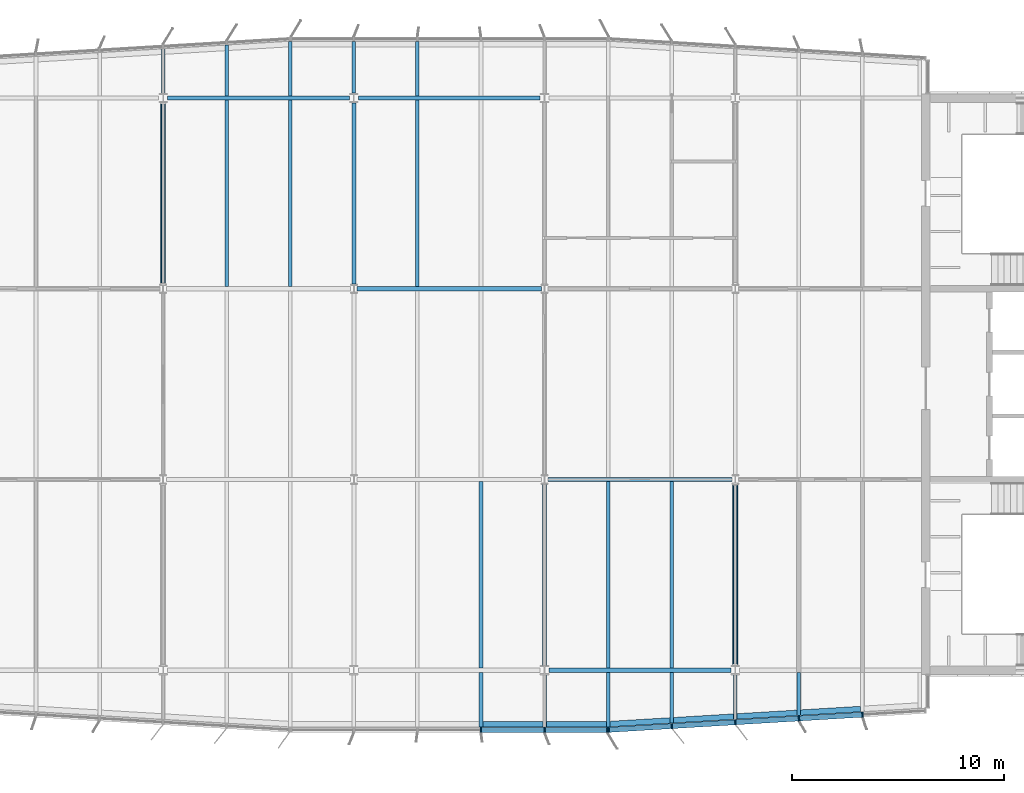
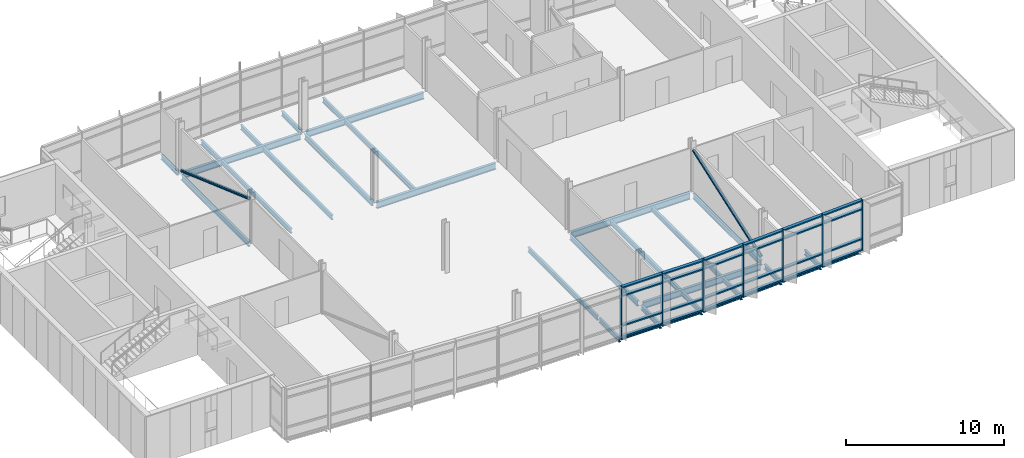
# One storey, part 5 of 18: 34 members, 32 beams, 2 elements without a shape of their own.
"""IFC4 building model written with IfcOpenShell, lengths in metres."""

from ifc_helpers import new_model, si_unit, direction, frame, origin, origin_2d, place, context, subcontext, project, spatial, rectangle, hollow_circle, i_section, extrude, material, material_profile, profile_set, type_object, element, aggregate, save


model = new_model("IFC4")

# Units and contexts
model_context = context("Model", 3, precision=1e-05, world=origin(), true_north=direction((0.0, 1.0)))
body_context = subcontext(model_context, "Body", "Model", "MODEL_VIEW")
ifc_project = project(units=[si_unit("LENGTHUNIT", "METRE"), si_unit("AREAUNIT", "SQUARE_METRE"), si_unit("VOLUMEUNIT", "CUBIC_METRE"), si_unit("PLANEANGLEUNIT", "RADIAN"), si_unit("MASSUNIT", "GRAM", prefix="KILO")], contexts=[model_context])

# Site, building, storey
site_placement = place(None, origin())
site = spatial("IfcSite", under=ifc_project, at=site_placement, CompositionType="ELEMENT")
building_placement = place(site_placement, origin())
building = spatial("IfcBuilding", under=site, at=building_placement, Name="Azimuth Sports and Learning Centre", CompositionType="ELEMENT")
storey_placement = place(building_placement, frame((0.0, 0.0, 59.699951171875)))
storey = spatial("IfcBuildingStorey", under=building, at=storey_placement, Name="L13", CompositionType="ELEMENT", Elevation=59.699951171875)

# Beams
ifc_material_1 = material(Name="Steel S355", Category="steel")
ifc_material_profile_1 = material_profile(ifc_material_1, i_section(OverallWidth=0.179931640625, OverallDepth=0.39990234375, WebThickness=0.008544921875, FlangeThickness=0.013427734375, FilletRadius=0.02099609375, at=origin_2d()), Name="IPE 400")
ifc_profile_set_1 = profile_set([ifc_material_profile_1], Name="Steel S355")
beam_type_1 = type_object("IfcBeamType", Name="Beam IPE 400", PredefinedType="BEAM", material=ifc_profile_set_1)
for number, where, z_axis, x_axis, name in (
    (1, (72.0, 108.216064453125, -0.329833984375), (0.0, 1.0, 0.0), (-1.0, 0.0, 0.0), "Tower tie"),
    (2, (81.0, 108.216064453125, -0.329833984375), (0.0, 1.0, 0.0), (-1.0, 0.0, 0.0), "Tower tie"),
    (3, (90.0, 90.2275390625, -0.329833984375), (0.0, 1.0, 0.0), (-1.0, 0.0, 0.0), "Tower tie"),
    (4, (99.0, 90.2275390625, -0.329833984375), (0.0, 1.0, 0.0), (-1.0, 0.0, 0.0), "Tower tie"),
):
    element("IfcBeam", number, at=place(storey_placement, frame(where, z_axis=z_axis, x_axis=x_axis)), inside=storey, type_object=beam_type_1, Name=name, PredefinedType="BEAM", context=body_context, shape_type="SweptSolid", body=[
        extrude(i_section(OverallWidth=0.179931640625, OverallDepth=0.39990234375, WebThickness=0.008544921875, FlangeThickness=0.013427734375, FilletRadius=0.02099609375, at=origin_2d()), origin(), (0.0, 0.0, 1.0), 8.556396484375),
    ])
ifc_material_2 = material(Name="Steel S355", Category="steel")
ifc_material_profile_2 = material_profile(ifc_material_2, i_section(OverallWidth=0.199951171875, OverallDepth=0.5, WebThickness=0.01025390625, FlangeThickness=0.01611328125, FilletRadius=0.02099609375, at=origin_2d()), Name="IPE 500")
ifc_profile_set_2 = profile_set([ifc_material_profile_2], Name="Steel S355")
beam_type_2 = type_object("IfcBeamType", Name="Beam IPE 500", PredefinedType="BEAM", material=ifc_profile_set_2)
beam_1_placement = place(storey_placement, frame((90.208984375, 90.0, -0.3798828125), z_axis=(1.0, 0.0, 0.0), x_axis=(0.0, 1.0, 0.0)))
element("IfcBeam", 5, at=beam_1_placement, inside=storey, type_object=beam_type_2, Name="Tower girder L13", PredefinedType="BEAM", context=body_context, shape_type="SweptSolid", body=[
    extrude(i_section(OverallWidth=0.199951171875, OverallDepth=0.5, WebThickness=0.01025390625, FlangeThickness=0.01611328125, FilletRadius=0.02099609375, at=origin_2d()), origin(), (0.0, 0.0, 1.0), 8.58203125),
])
for number, where, z_axis, x_axis, name in (
    (6, (90.153564453125, 99.0, -0.3798828125), (1.0, 0.0, 0.0), (0.0, 1.0, 0.0), "Tower girder L13"),
    (7, (81.153564453125, 108.0, -0.3798828125), (1.0, 0.0, 0.0), (0.0, 1.0, 0.0), "Tower girder L13"),
):
    element("IfcBeam", number, at=place(storey_placement, frame(where, z_axis=z_axis, x_axis=x_axis)), inside=storey, type_object=beam_type_2, Name=name, PredefinedType="BEAM", context=body_context, shape_type="SweptSolid", body=[
        extrude(i_section(OverallWidth=0.199951171875, OverallDepth=0.5, WebThickness=0.01025390625, FlangeThickness=0.01611328125, FilletRadius=0.02099609375, at=origin_2d()), origin(), (0.0, 0.0, 1.0), 8.69287109375),
    ])
for number, where, z_axis, x_axis, name in (
    (8, (72.208984375, 117.0, -0.3798828125), (1.0, 0.0, 0.0), (0.0, 1.0, 0.0), "Tower girder L13"),
    (9, (81.208984375, 117.0, -0.3798828125), (1.0, 0.0, 0.0), (0.0, 1.0, 0.0), "Tower girder L13"),
):
    element("IfcBeam", number, at=place(storey_placement, frame(where, z_axis=z_axis, x_axis=x_axis)), inside=storey, type_object=beam_type_2, Name=name, PredefinedType="BEAM", context=body_context, shape_type="SweptSolid", body=[
        extrude(i_section(OverallWidth=0.199951171875, OverallDepth=0.5, WebThickness=0.01025390625, FlangeThickness=0.01611328125, FilletRadius=0.02099609375, at=origin_2d()), origin(), (0.0, 0.0, 1.0), 8.58203125),
    ])

# Members
ifc_material_3 = material(Name="Steel S355", Category="steel")
ifc_material_profile_3 = material_profile(ifc_material_3, hollow_circle(Radius=0.122314453125, WallThickness=0.012451171875, at=origin_2d()), Name="CHS 244.5x12.5")
ifc_profile_set_3 = profile_set([ifc_material_profile_3], Name="Steel S355")
member_type_1 = type_object("IfcMemberType", Name="Brace CHS 244.5x12.5", PredefinedType="BRACE", material=ifc_profile_set_3)
for number, where, z_axis, x_axis, name in (
    (10, (72.0, 108.237060546875, 3.200439453125), (0.0, 0.942219611657, -0.334995825957), (-1.0, 0.0, 0.0), "Tower brace 9 L13"),
    (11, (99.0, 90.238525390625, 0.169677734375), (0.0, 0.942219611657, 0.334995825957), (-1.0, 0.0, 0.0), "Tower brace 12 L13"),
):
    element("IfcMember", number, at=place(storey_placement, frame(where, z_axis=z_axis, x_axis=x_axis)), inside=storey, type_object=member_type_1, Name=name, PredefinedType="BRACE", context=body_context, shape_type="SweptSolid", body=[
        extrude(hollow_circle(Radius=0.122314453125, WallThickness=0.012451171875, at=origin_2d()), origin(), (0.0, 0.0, 1.0), 9.047119140625),
    ])

# Beams
ifc_material_4 = material(Name="Steel S355", Category="steel")
ifc_material_profile_4 = material_profile(ifc_material_4, i_section(OverallWidth=0.169921875, OverallDepth=0.360107421875, WebThickness=0.008056640625, FlangeThickness=0.0126953125, FilletRadius=0.01806640625, at=origin_2d()), Name="IPE 360")
ifc_profile_set_4 = profile_set([ifc_material_profile_4], Name="Steel S355")
beam_type_3 = type_object("IfcBeamType", Name="Cantilever stub IPE 360", PredefinedType="JOIST", material=ifc_profile_set_4)
beam_2_placement = place(storey_placement, frame((87.0, 89.89990234375, -0.31005859375), z_axis=(0.0, -1.0, 0.0), x_axis=(1.0, 0.0, 0.0)))
element("IfcBeam", 12, at=beam_2_placement, inside=storey, type_object=beam_type_3, Name="Tower cantilever stub", PredefinedType="JOIST", context=body_context, shape_type="SweptSolid", body=[
    extrude(i_section(OverallWidth=0.169921875, OverallDepth=0.360107421875, WebThickness=0.008056640625, FlangeThickness=0.0126953125, FilletRadius=0.01806640625, at=origin_2d()), origin(), (0.0, 0.0, 1.0), 2.579833984375),
])
beam_3_placement = place(storey_placement, frame((90.0, 89.7724609375, -0.31005859375), z_axis=(0.0, -1.0, 0.0), x_axis=(1.0, 0.0, 0.0)))
element("IfcBeam", 13, at=beam_3_placement, inside=storey, type_object=beam_type_3, Name="Tower cantilever stub", PredefinedType="JOIST", context=body_context, shape_type="SweptSolid", body=[
    extrude(i_section(OverallWidth=0.169921875, OverallDepth=0.360107421875, WebThickness=0.008056640625, FlangeThickness=0.0126953125, FilletRadius=0.01806640625, at=origin_2d()), origin(), (0.0, 0.0, 1.0), 2.452392578125),
])
beam_4_placement = place(storey_placement, frame((93.0, 89.89990234375, -0.31005859375), z_axis=(0.0, -1.0, 0.0), x_axis=(1.0, 0.0, 0.0)))
element("IfcBeam", 14, at=beam_4_placement, inside=storey, type_object=beam_type_3, Name="Tower cantilever stub", PredefinedType="JOIST", context=body_context, shape_type="SweptSolid", body=[
    extrude(i_section(OverallWidth=0.169921875, OverallDepth=0.360107421875, WebThickness=0.008056640625, FlangeThickness=0.0126953125, FilletRadius=0.01806640625, at=origin_2d()), origin(), (0.0, 0.0, 1.0), 2.579833984375),
])
beam_5_placement = place(storey_placement, frame((96.0, 89.89990234375, -0.31005859375), z_axis=(0.0, -1.0, 0.0), x_axis=(1.0, 0.0, 0.0)))
element("IfcBeam", 15, at=beam_5_placement, inside=storey, type_object=beam_type_3, Name="Tower cantilever stub", PredefinedType="JOIST", context=body_context, shape_type="SweptSolid", body=[
    extrude(i_section(OverallWidth=0.169921875, OverallDepth=0.360107421875, WebThickness=0.008056640625, FlangeThickness=0.0126953125, FilletRadius=0.01806640625, at=origin_2d()), origin(), (0.0, 0.0, 1.0), 2.39990234375),
])
beam_6_placement = place(storey_placement, frame((99.0, 89.7724609375, -0.31005859375), z_axis=(0.0, -1.0, 0.0), x_axis=(1.0, 0.0, 0.0)))
element("IfcBeam", 16, at=beam_6_placement, inside=storey, type_object=beam_type_3, Name="Tower cantilever stub", PredefinedType="JOIST", context=body_context, shape_type="SweptSolid", body=[
    extrude(i_section(OverallWidth=0.169921875, OverallDepth=0.360107421875, WebThickness=0.008056640625, FlangeThickness=0.0126953125, FilletRadius=0.01806640625, at=origin_2d()), origin(), (0.0, 0.0, 1.0), 2.092529296875),
])
beam_7_placement = place(storey_placement, frame((102.0, 89.89990234375, -0.31005859375), z_axis=(0.0, -1.0, 0.0), x_axis=(1.0, 0.0, 0.0)))
element("IfcBeam", 17, at=beam_7_placement, inside=storey, type_object=beam_type_3, Name="Tower cantilever stub", PredefinedType="JOIST", context=body_context, shape_type="SweptSolid", body=[
    extrude(i_section(OverallWidth=0.169921875, OverallDepth=0.360107421875, WebThickness=0.008056640625, FlangeThickness=0.0126953125, FilletRadius=0.01806640625, at=origin_2d()), origin(), (0.0, 0.0, 1.0), 2.039794921875),
])
beam_8_placement = place(storey_placement, frame((72.0, 117.2275390625, -0.31005859375), z_axis=(0.0, 1.0, 0.0), x_axis=(-1.0, 0.0, 0.0)))
element("IfcBeam", 18, at=beam_8_placement, inside=storey, type_object=beam_type_3, Name="Tower cantilever stub", PredefinedType="JOIST", context=body_context, shape_type="SweptSolid", body=[
    extrude(i_section(OverallWidth=0.169921875, OverallDepth=0.360107421875, WebThickness=0.008056640625, FlangeThickness=0.0126953125, FilletRadius=0.01806640625, at=origin_2d()), origin(), (0.0, 0.0, 1.0), 2.092529296875),
])
beam_9_placement = place(storey_placement, frame((75.0, 117.10009765625, -0.31005859375), z_axis=(0.0, 1.0, 0.0), x_axis=(-1.0, 0.0, 0.0)))
element("IfcBeam", 19, at=beam_9_placement, inside=storey, type_object=beam_type_3, Name="Tower cantilever stub", PredefinedType="JOIST", context=body_context, shape_type="SweptSolid", body=[
    extrude(i_section(OverallWidth=0.169921875, OverallDepth=0.360107421875, WebThickness=0.008056640625, FlangeThickness=0.0126953125, FilletRadius=0.01806640625, at=origin_2d()), origin(), (0.0, 0.0, 1.0), 2.39990234375),
])
beam_10_placement = place(storey_placement, frame((78.0, 117.10009765625, -0.31005859375), z_axis=(0.0, 1.0, 0.0), x_axis=(-1.0, 0.0, 0.0)))
element("IfcBeam", 20, at=beam_10_placement, inside=storey, type_object=beam_type_3, Name="Tower cantilever stub", PredefinedType="JOIST", context=body_context, shape_type="SweptSolid", body=[
    extrude(i_section(OverallWidth=0.169921875, OverallDepth=0.360107421875, WebThickness=0.008056640625, FlangeThickness=0.0126953125, FilletRadius=0.01806640625, at=origin_2d()), origin(), (0.0, 0.0, 1.0), 2.579833984375),
])
beam_11_placement = place(storey_placement, frame((81.0, 117.2275390625, -0.31005859375), z_axis=(0.0, 1.0, 0.0), x_axis=(-1.0, 0.0, 0.0)))
element("IfcBeam", 21, at=beam_11_placement, inside=storey, type_object=beam_type_3, Name="Tower cantilever stub", PredefinedType="JOIST", context=body_context, shape_type="SweptSolid", body=[
    extrude(i_section(OverallWidth=0.169921875, OverallDepth=0.360107421875, WebThickness=0.008056640625, FlangeThickness=0.0126953125, FilletRadius=0.01806640625, at=origin_2d()), origin(), (0.0, 0.0, 1.0), 2.452392578125),
])
beam_12_placement = place(storey_placement, frame((84.0, 117.10009765625, -0.31005859375), z_axis=(0.0, 1.0, 0.0), x_axis=(-1.0, 0.0, 0.0)))
element("IfcBeam", 22, at=beam_12_placement, inside=storey, type_object=beam_type_3, Name="Tower cantilever stub", PredefinedType="JOIST", context=body_context, shape_type="SweptSolid", body=[
    extrude(i_section(OverallWidth=0.169921875, OverallDepth=0.360107421875, WebThickness=0.008056640625, FlangeThickness=0.0126953125, FilletRadius=0.01806640625, at=origin_2d()), origin(), (0.0, 0.0, 1.0), 2.579833984375),
])
ifc_material_5 = material(Name="Steel S355", Category="steel")
ifc_material_profile_5 = material_profile(ifc_material_5, i_section(OverallWidth=0.260009765625, OverallDepth=0.25, WebThickness=0.007568359375, FlangeThickness=0.012451171875, FilletRadius=0.02392578125, at=origin_2d()), Name="HEA 260")
ifc_profile_set_5 = profile_set([ifc_material_profile_5], Name="Steel S355")
beam_type_4 = type_object("IfcBeamType", Name="Edge beam HEA 260", PredefinedType="SPANDREL", material=ifc_profile_set_5)
for number, where, z_axis, x_axis, name in (
    (23, (87.0849609375, 87.449951171875, -0.2548828125), (1.0, 0.0, 0.0), (0.0, 1.0, 0.0), "Tower edge beam"),
    (24, (90.0849609375, 87.449951171875, -0.2548828125), (1.0, 0.0, 0.0), (0.0, 1.0, 0.0), "Tower edge beam"),
):
    element("IfcBeam", number, at=place(storey_placement, frame(where, z_axis=z_axis, x_axis=x_axis)), inside=storey, type_object=beam_type_4, Name=name, PredefinedType="SPANDREL", context=body_context, shape_type="SweptSolid", body=[
        extrude(i_section(OverallWidth=0.260009765625, OverallDepth=0.25, WebThickness=0.007568359375, FlangeThickness=0.012451171875, FilletRadius=0.02392578125, at=origin_2d()), origin(), (0.0, 0.0, 1.0), 2.830078125),
    ])
for number, where, z_axis, x_axis, name in (
    (25, (93.0849609375, 87.455078125, -0.2548828125), (0.998202373506, 0.059933475842, 0.0), (-0.059933475842, 0.998202373506, 0.0), "Tower edge beam"),
    (26, (96.0849609375, 87.635009765625, -0.2548828125), (0.998202373506, 0.059933475842, 0.0), (-0.059933475842, 0.998202373506, 0.0), "Tower edge beam"),
    (27, (99.0849609375, 87.815185546875, -0.2548828125), (0.998207521518, 0.059847673176, 0.0), (-0.059847673176, 0.998207521518, 0.0), "Tower edge beam"),
    (28, (102.0849609375, 87.9951171875, -0.2548828125), (0.998207521518, 0.059847673176, 0.0), (-0.059847673176, 0.998207521518, 0.0), "Tower edge beam"),
):
    element("IfcBeam", number, at=place(storey_placement, frame(where, z_axis=z_axis, x_axis=x_axis)), inside=storey, type_object=beam_type_4, Name=name, PredefinedType="SPANDREL", context=body_context, shape_type="SweptSolid", body=[
        extrude(i_section(OverallWidth=0.260009765625, OverallDepth=0.25, WebThickness=0.007568359375, FlangeThickness=0.012451171875, FilletRadius=0.02392578125, at=origin_2d()), origin(), (0.0, 0.0, 1.0), 2.835205078125),
    ])
ifc_material_6 = material(Name="Steel S355", Category="steel")
ifc_material_profile_6 = material_profile(ifc_material_6, i_section(OverallWidth=0.169921875, OverallDepth=0.360107421875, WebThickness=0.008056640625, FlangeThickness=0.0126953125, FilletRadius=0.01806640625, at=origin_2d()), Name="IPE 360")
ifc_profile_set_6 = profile_set([ifc_material_profile_6], Name="Steel S355")
beam_type_5 = type_object("IfcBeamType", Name="Joist IPE 360", PredefinedType="JOIST", material=ifc_profile_set_6)
for number, where, z_axis, x_axis, name in (
    (29, (75.0, 108.10009765625, -0.31005859375), (0.0, 1.0, 0.0), (-1.0, 0.0, 0.0), "Tower joist"),
    (30, (78.0, 108.10009765625, -0.31005859375), (0.0, 1.0, 0.0), (-1.0, 0.0, 0.0), "Tower joist"),
    (31, (84.0, 108.10009765625, -0.31005859375), (0.0, 1.0, 0.0), (-1.0, 0.0, 0.0), "Tower joist"),
    (32, (87.0, 90.10009765625, -0.31005859375), (0.0, 1.0, 0.0), (-1.0, 0.0, 0.0), "Tower joist"),
    (33, (93.0, 90.10009765625, -0.31005859375), (0.0, 1.0, 0.0), (-1.0, 0.0, 0.0), "Tower joist"),
    (34, (96.0, 90.10009765625, -0.31005859375), (0.0, 1.0, 0.0), (-1.0, 0.0, 0.0), "Tower joist"),
):
    element("IfcBeam", number, at=place(storey_placement, frame(where, z_axis=z_axis, x_axis=x_axis)), inside=storey, type_object=beam_type_5, Name=name, PredefinedType="JOIST", context=body_context, shape_type="SweptSolid", body=[
        extrude(i_section(OverallWidth=0.169921875, OverallDepth=0.360107421875, WebThickness=0.008056640625, FlangeThickness=0.0126953125, FilletRadius=0.01806640625, at=origin_2d()), origin(), (0.0, 0.0, 1.0), 8.7998046875),
    ])

# Curtain wall, members
ifc_material_7 = material(Name="Aluminium and glass", Category="aluminium")
curtain_wall_type = type_object("IfcCurtainWallType", Name="Curtain wall tower south 240", PredefinedType="NOTDEFINED", material=ifc_material_7)
curtain_wall_1_placement = place(storey_placement, origin())
curtain_wall_1 = element("IfcCurtainWall", 35, at=curtain_wall_1_placement, inside=storey, type_object=curtain_wall_type, Name="Curtain wall CW13-003", PredefinedType="NOTDEFINED")
ifc_material_8 = material(Name="Aluminium", Category="aluminium")
ifc_material_profile_7 = material_profile(ifc_material_8, rectangle(XDim=0.239990234375, YDim=0.070068359375, at=origin_2d()), Name="Mullion 70x240")
ifc_profile_set_7 = profile_set([ifc_material_profile_7], Name="Aluminium")
member_type_2 = type_object("IfcMemberType", Name="Mullion 70x240", PredefinedType="MULLION", material=ifc_profile_set_7)
member_1_placement = place(storey_placement, frame((87.0, 87.179931640625, 0.0), z_axis=(0.0, 0.0, 1.0), x_axis=(0.0, 1.0, 0.0)))
member_1 = element("IfcMember", 36, at=member_1_placement, type_object=member_type_2, Name="CW13-003 mullion 4", PredefinedType="MULLION", context=body_context, shape_type="SweptSolid", body=[
    extrude(rectangle(XDim=0.239990234375, YDim=0.070068359375, at=origin_2d()), origin(), (0.0, 0.0, 1.0), 3.900146484375),
])
member_2_placement = place(storey_placement, frame((90.0, 87.179931640625, 0.0), z_axis=(0.0, 0.0, 1.0), x_axis=(0.0, 1.0, 0.0)))
member_2 = element("IfcMember", 37, at=member_2_placement, type_object=member_type_2, Name="CW13-003 mullion 5", PredefinedType="MULLION", context=body_context, shape_type="SweptSolid", body=[
    extrude(rectangle(XDim=0.239990234375, YDim=0.070068359375, at=origin_2d()), origin(), (0.0, 0.0, 1.0), 3.900146484375),
])
member_3_placement = place(storey_placement, frame((92.965087890625, 87.179931640625, 0.0), z_axis=(0.0, 0.0, 1.0), x_axis=(0.0, 1.0, 0.0)))
member_3 = element("IfcMember", 38, at=member_3_placement, type_object=member_type_2, Name="CW13-003 mullion 6", PredefinedType="MULLION", context=body_context, shape_type="SweptSolid", body=[
    extrude(rectangle(XDim=0.239990234375, YDim=0.070068359375, at=origin_2d()), origin(), (0.0, 0.0, 1.0), 3.900146484375),
])

curtain_wall_2_placement = place(storey_placement, origin())
curtain_wall_2 = element("IfcCurtainWall", 39, at=curtain_wall_2_placement, inside=storey, type_object=curtain_wall_type, Name="Curtain wall CW13-004", PredefinedType="NOTDEFINED")
member_4_placement = place(storey_placement, frame((93.034912109375, 87.181884765625, 0.0), z_axis=(0.0, 0.0, 1.0), x_axis=(-0.059891991812, 0.998204863401, 0.0)))
member_4 = element("IfcMember", 40, at=member_4_placement, type_object=member_type_2, Name="CW13-004 mullion 1", PredefinedType="MULLION", context=body_context, shape_type="SweptSolid", body=[
    extrude(rectangle(XDim=0.239990234375, YDim=0.070068359375, at=origin_2d()), origin(), (0.0, 0.0, 1.0), 3.900146484375),
])
member_5_placement = place(storey_placement, frame((96.007080078125, 87.360107421875, 0.0), z_axis=(0.0, 0.0, 1.0), x_axis=(-0.059891991812, 0.998204863401, 0.0)))
member_5 = element("IfcMember", 41, at=member_5_placement, type_object=member_type_2, Name="CW13-004 mullion 2", PredefinedType="MULLION", context=body_context, shape_type="SweptSolid", body=[
    extrude(rectangle(XDim=0.239990234375, YDim=0.070068359375, at=origin_2d()), origin(), (0.0, 0.0, 1.0), 3.900146484375),
])
member_6_placement = place(storey_placement, frame((99.007080078125, 87.540283203125, 0.0), z_axis=(0.0, 0.0, 1.0), x_axis=(-0.059891991812, 0.998204863401, 0.0)))
member_6 = element("IfcMember", 42, at=member_6_placement, type_object=member_type_2, Name="CW13-004 mullion 3", PredefinedType="MULLION", context=body_context, shape_type="SweptSolid", body=[
    extrude(rectangle(XDim=0.239990234375, YDim=0.070068359375, at=origin_2d()), origin(), (0.0, 0.0, 1.0), 3.900146484375),
])
member_7_placement = place(storey_placement, frame((102.007080078125, 87.72021484375, 0.0), z_axis=(0.0, 0.0, 1.0), x_axis=(-0.059891991812, 0.998204863401, 0.0)))
member_7 = element("IfcMember", 43, at=member_7_placement, type_object=member_type_2, Name="CW13-004 mullion 4", PredefinedType="MULLION", context=body_context, shape_type="SweptSolid", body=[
    extrude(rectangle(XDim=0.239990234375, YDim=0.070068359375, at=origin_2d()), origin(), (0.0, 0.0, 1.0), 3.900146484375),
])
member_8_placement = place(storey_placement, frame((105.007080078125, 87.900146484375, 0.0), z_axis=(0.0, 0.0, 1.0), x_axis=(-0.059891991812, 0.998204863401, 0.0)))
member_8 = element("IfcMember", 44, at=member_8_placement, type_object=member_type_2, Name="CW13-004 mullion 5", PredefinedType="MULLION", context=body_context, shape_type="SweptSolid", body=[
    extrude(rectangle(XDim=0.239990234375, YDim=0.070068359375, at=origin_2d()), origin(), (0.0, 0.0, 1.0), 3.900146484375),
])

# Member
ifc_material_9 = material(Name="Aluminium", Category="aluminium")
ifc_material_profile_8 = material_profile(ifc_material_9, rectangle(XDim=0.239990234375, YDim=0.10009765625, at=origin_2d()), Name="Transom 100x240")
ifc_profile_set_8 = profile_set([ifc_material_profile_8], Name="Aluminium")
member_type_3 = type_object("IfcMemberType", Name="Transom 100x240", PredefinedType="USERDEFINED", material=ifc_profile_set_8)
member_9_placement = place(storey_placement, frame((87.034912109375, 87.179931640625, 0.050048828125), z_axis=(1.0, 0.0, 0.0), x_axis=(0.0, 1.0, 0.0)))
member_9 = element("IfcMember", 45, at=member_9_placement, type_object=member_type_3, Name="CW13-003 transom 4.1", ObjectType="TRANSOM", PredefinedType="USERDEFINED", context=body_context, shape_type="SweptSolid", body=[
    extrude(rectangle(XDim=0.239990234375, YDim=0.10009765625, at=origin_2d()), origin(), (0.0, 0.0, 1.0), 2.93017578125),
])

member_10_placement = place(storey_placement, frame((87.034912109375, 87.179931640625, 0.900146484375), z_axis=(1.0, 0.0, 0.0), x_axis=(0.0, 1.0, 0.0)))
member_10 = element("IfcMember", 46, at=member_10_placement, type_object=member_type_3, Name="CW13-003 transom 4.2", ObjectType="TRANSOM", PredefinedType="USERDEFINED", context=body_context, shape_type="SweptSolid", body=[
    extrude(rectangle(XDim=0.239990234375, YDim=0.10009765625, at=origin_2d()), origin(), (0.0, 0.0, 1.0), 2.93017578125),
])

member_11_placement = place(storey_placement, frame((87.034912109375, 87.179931640625, 3.199951171875), z_axis=(1.0, 0.0, 0.0), x_axis=(0.0, 1.0, 0.0)))
member_11 = element("IfcMember", 47, at=member_11_placement, type_object=member_type_3, Name="CW13-003 transom 4.3", ObjectType="TRANSOM", PredefinedType="USERDEFINED", context=body_context, shape_type="SweptSolid", body=[
    extrude(rectangle(XDim=0.239990234375, YDim=0.10009765625, at=origin_2d()), origin(), (0.0, 0.0, 1.0), 2.93017578125),
])

member_12_placement = place(storey_placement, frame((87.034912109375, 87.179931640625, 3.85009765625), z_axis=(1.0, 0.0, 0.0), x_axis=(0.0, 1.0, 0.0)))
member_12 = element("IfcMember", 48, at=member_12_placement, type_object=member_type_3, Name="CW13-003 transom 4.4", ObjectType="TRANSOM", PredefinedType="USERDEFINED", context=body_context, shape_type="SweptSolid", body=[
    extrude(rectangle(XDim=0.239990234375, YDim=0.10009765625, at=origin_2d()), origin(), (0.0, 0.0, 1.0), 2.93017578125),
])

member_13_placement = place(storey_placement, frame((90.034912109375, 87.179931640625, 0.050048828125), z_axis=(1.0, 0.0, 0.0), x_axis=(0.0, 1.0, 0.0)))
member_13 = element("IfcMember", 49, at=member_13_placement, type_object=member_type_3, Name="CW13-003 transom 5.1", ObjectType="TRANSOM", PredefinedType="USERDEFINED", context=body_context, shape_type="SweptSolid", body=[
    extrude(rectangle(XDim=0.239990234375, YDim=0.10009765625, at=origin_2d()), origin(), (0.0, 0.0, 1.0), 2.89501953125),
])

member_14_placement = place(storey_placement, frame((90.034912109375, 87.179931640625, 0.900146484375), z_axis=(1.0, 0.0, 0.0), x_axis=(0.0, 1.0, 0.0)))
member_14 = element("IfcMember", 50, at=member_14_placement, type_object=member_type_3, Name="CW13-003 transom 5.2", ObjectType="TRANSOM", PredefinedType="USERDEFINED", context=body_context, shape_type="SweptSolid", body=[
    extrude(rectangle(XDim=0.239990234375, YDim=0.10009765625, at=origin_2d()), origin(), (0.0, 0.0, 1.0), 2.89501953125),
])

member_15_placement = place(storey_placement, frame((90.034912109375, 87.179931640625, 3.199951171875), z_axis=(1.0, 0.0, 0.0), x_axis=(0.0, 1.0, 0.0)))
member_15 = element("IfcMember", 51, at=member_15_placement, type_object=member_type_3, Name="CW13-003 transom 5.3", ObjectType="TRANSOM", PredefinedType="USERDEFINED", context=body_context, shape_type="SweptSolid", body=[
    extrude(rectangle(XDim=0.239990234375, YDim=0.10009765625, at=origin_2d()), origin(), (0.0, 0.0, 1.0), 2.89501953125),
])

member_16_placement = place(storey_placement, frame((90.034912109375, 87.179931640625, 3.85009765625), z_axis=(1.0, 0.0, 0.0), x_axis=(0.0, 1.0, 0.0)))
member_16 = element("IfcMember", 52, at=member_16_placement, type_object=member_type_3, Name="CW13-003 transom 5.4", ObjectType="TRANSOM", PredefinedType="USERDEFINED", context=body_context, shape_type="SweptSolid", body=[
    extrude(rectangle(XDim=0.239990234375, YDim=0.10009765625, at=origin_2d()), origin(), (0.0, 0.0, 1.0), 2.89501953125),
])

aggregate(curtain_wall_1, [member_1, member_2, member_3, member_9, member_10, member_11, member_12, member_13, member_14, member_15, member_16])

member_17_placement = place(storey_placement, frame((93.06982421875, 87.18408203125, 0.050048828125), z_axis=(0.998206250786, 0.059868864133, 0.0), x_axis=(-0.059868864133, 0.998206250786, 0.0)))
member_17 = element("IfcMember", 53, at=member_17_placement, type_object=member_type_3, Name="CW13-004 transom 1.1", ObjectType="TRANSOM", PredefinedType="USERDEFINED", context=body_context, shape_type="SweptSolid", body=[
    extrude(rectangle(XDim=0.239990234375, YDim=0.10009765625, at=origin_2d()), origin(), (0.0, 0.0, 1.0), 2.907470703125),
])

member_18_placement = place(storey_placement, frame((93.06982421875, 87.18408203125, 0.900146484375), z_axis=(0.998206250786, 0.059868864133, 0.0), x_axis=(-0.059868864133, 0.998206250786, 0.0)))
member_18 = element("IfcMember", 54, at=member_18_placement, type_object=member_type_3, Name="CW13-004 transom 1.2", ObjectType="TRANSOM", PredefinedType="USERDEFINED", context=body_context, shape_type="SweptSolid", body=[
    extrude(rectangle(XDim=0.239990234375, YDim=0.10009765625, at=origin_2d()), origin(), (0.0, 0.0, 1.0), 2.907470703125),
])

member_19_placement = place(storey_placement, frame((93.06982421875, 87.18408203125, 3.199951171875), z_axis=(0.998206250786, 0.059868864133, 0.0), x_axis=(-0.059868864133, 0.998206250786, 0.0)))
member_19 = element("IfcMember", 55, at=member_19_placement, type_object=member_type_3, Name="CW13-004 transom 1.3", ObjectType="TRANSOM", PredefinedType="USERDEFINED", context=body_context, shape_type="SweptSolid", body=[
    extrude(rectangle(XDim=0.239990234375, YDim=0.10009765625, at=origin_2d()), origin(), (0.0, 0.0, 1.0), 2.907470703125),
])

member_20_placement = place(storey_placement, frame((93.06982421875, 87.18408203125, 3.85009765625), z_axis=(0.998206250786, 0.059868864133, 0.0), x_axis=(-0.059868864133, 0.998206250786, 0.0)))
member_20 = element("IfcMember", 56, at=member_20_placement, type_object=member_type_3, Name="CW13-004 transom 1.4", ObjectType="TRANSOM", PredefinedType="USERDEFINED", context=body_context, shape_type="SweptSolid", body=[
    extrude(rectangle(XDim=0.239990234375, YDim=0.10009765625, at=origin_2d()), origin(), (0.0, 0.0, 1.0), 2.907470703125),
])

member_21_placement = place(storey_placement, frame((96.042236328125, 87.3623046875, 0.050048828125), z_axis=(0.998205143816, 0.059887318019, 0.0), x_axis=(-0.059887318019, 0.998205143816, 0.0)))
member_21 = element("IfcMember", 57, at=member_21_placement, type_object=member_type_3, Name="CW13-004 transom 2.1", ObjectType="TRANSOM", PredefinedType="USERDEFINED", context=body_context, shape_type="SweptSolid", body=[
    extrude(rectangle(XDim=0.239990234375, YDim=0.10009765625, at=origin_2d()), origin(), (0.0, 0.0, 1.0), 2.935302734375),
])

member_22_placement = place(storey_placement, frame((96.042236328125, 87.3623046875, 0.900146484375), z_axis=(0.998205143816, 0.059887318019, 0.0), x_axis=(-0.059887318019, 0.998205143816, 0.0)))
member_22 = element("IfcMember", 58, at=member_22_placement, type_object=member_type_3, Name="CW13-004 transom 2.2", ObjectType="TRANSOM", PredefinedType="USERDEFINED", context=body_context, shape_type="SweptSolid", body=[
    extrude(rectangle(XDim=0.239990234375, YDim=0.10009765625, at=origin_2d()), origin(), (0.0, 0.0, 1.0), 2.935302734375),
])

member_23_placement = place(storey_placement, frame((96.042236328125, 87.3623046875, 3.199951171875), z_axis=(0.998205143816, 0.059887318019, 0.0), x_axis=(-0.059887318019, 0.998205143816, 0.0)))
member_23 = element("IfcMember", 59, at=member_23_placement, type_object=member_type_3, Name="CW13-004 transom 2.3", ObjectType="TRANSOM", PredefinedType="USERDEFINED", context=body_context, shape_type="SweptSolid", body=[
    extrude(rectangle(XDim=0.239990234375, YDim=0.10009765625, at=origin_2d()), origin(), (0.0, 0.0, 1.0), 2.935302734375),
])

member_24_placement = place(storey_placement, frame((96.042236328125, 87.3623046875, 3.85009765625), z_axis=(0.998205143816, 0.059887318019, 0.0), x_axis=(-0.059887318019, 0.998205143816, 0.0)))
member_24 = element("IfcMember", 60, at=member_24_placement, type_object=member_type_3, Name="CW13-004 transom 2.4", ObjectType="TRANSOM", PredefinedType="USERDEFINED", context=body_context, shape_type="SweptSolid", body=[
    extrude(rectangle(XDim=0.239990234375, YDim=0.10009765625, at=origin_2d()), origin(), (0.0, 0.0, 1.0), 2.935302734375),
])

member_25_placement = place(storey_placement, frame((99.042236328125, 87.542236328125, 0.050048828125), z_axis=(0.998205143816, 0.059887318019, 0.0), x_axis=(-0.059887318019, 0.998205143816, 0.0)))
member_25 = element("IfcMember", 61, at=member_25_placement, type_object=member_type_3, Name="CW13-004 transom 3.1", ObjectType="TRANSOM", PredefinedType="USERDEFINED", context=body_context, shape_type="SweptSolid", body=[
    extrude(rectangle(XDim=0.239990234375, YDim=0.10009765625, at=origin_2d()), origin(), (0.0, 0.0, 1.0), 2.935302734375),
])

member_26_placement = place(storey_placement, frame((99.042236328125, 87.542236328125, 0.900146484375), z_axis=(0.998205143816, 0.059887318019, 0.0), x_axis=(-0.059887318019, 0.998205143816, 0.0)))
member_26 = element("IfcMember", 62, at=member_26_placement, type_object=member_type_3, Name="CW13-004 transom 3.2", ObjectType="TRANSOM", PredefinedType="USERDEFINED", context=body_context, shape_type="SweptSolid", body=[
    extrude(rectangle(XDim=0.239990234375, YDim=0.10009765625, at=origin_2d()), origin(), (0.0, 0.0, 1.0), 2.935302734375),
])

member_27_placement = place(storey_placement, frame((99.042236328125, 87.542236328125, 3.199951171875), z_axis=(0.998205143816, 0.059887318019, 0.0), x_axis=(-0.059887318019, 0.998205143816, 0.0)))
member_27 = element("IfcMember", 63, at=member_27_placement, type_object=member_type_3, Name="CW13-004 transom 3.3", ObjectType="TRANSOM", PredefinedType="USERDEFINED", context=body_context, shape_type="SweptSolid", body=[
    extrude(rectangle(XDim=0.239990234375, YDim=0.10009765625, at=origin_2d()), origin(), (0.0, 0.0, 1.0), 2.935302734375),
])

member_28_placement = place(storey_placement, frame((99.042236328125, 87.542236328125, 3.85009765625), z_axis=(0.998205143816, 0.059887318019, 0.0), x_axis=(-0.059887318019, 0.998205143816, 0.0)))
member_28 = element("IfcMember", 64, at=member_28_placement, type_object=member_type_3, Name="CW13-004 transom 3.4", ObjectType="TRANSOM", PredefinedType="USERDEFINED", context=body_context, shape_type="SweptSolid", body=[
    extrude(rectangle(XDim=0.239990234375, YDim=0.10009765625, at=origin_2d()), origin(), (0.0, 0.0, 1.0), 2.935302734375),
])

member_29_placement = place(storey_placement, frame((102.042236328125, 87.722412109375, 0.050048828125), z_axis=(0.998205143816, 0.059887318019, 0.0), x_axis=(-0.059887318019, 0.998205143816, 0.0)))
member_29 = element("IfcMember", 65, at=member_29_placement, type_object=member_type_3, Name="CW13-004 transom 4.1", ObjectType="TRANSOM", PredefinedType="USERDEFINED", context=body_context, shape_type="SweptSolid", body=[
    extrude(rectangle(XDim=0.239990234375, YDim=0.10009765625, at=origin_2d()), origin(), (0.0, 0.0, 1.0), 2.935302734375),
])

member_30_placement = place(storey_placement, frame((102.042236328125, 87.722412109375, 0.900146484375), z_axis=(0.998205143816, 0.059887318019, 0.0), x_axis=(-0.059887318019, 0.998205143816, 0.0)))
member_30 = element("IfcMember", 66, at=member_30_placement, type_object=member_type_3, Name="CW13-004 transom 4.2", ObjectType="TRANSOM", PredefinedType="USERDEFINED", context=body_context, shape_type="SweptSolid", body=[
    extrude(rectangle(XDim=0.239990234375, YDim=0.10009765625, at=origin_2d()), origin(), (0.0, 0.0, 1.0), 2.935302734375),
])

member_31_placement = place(storey_placement, frame((102.042236328125, 87.722412109375, 3.199951171875), z_axis=(0.998205143816, 0.059887318019, 0.0), x_axis=(-0.059887318019, 0.998205143816, 0.0)))
member_31 = element("IfcMember", 67, at=member_31_placement, type_object=member_type_3, Name="CW13-004 transom 4.3", ObjectType="TRANSOM", PredefinedType="USERDEFINED", context=body_context, shape_type="SweptSolid", body=[
    extrude(rectangle(XDim=0.239990234375, YDim=0.10009765625, at=origin_2d()), origin(), (0.0, 0.0, 1.0), 2.935302734375),
])

member_32_placement = place(storey_placement, frame((102.042236328125, 87.722412109375, 3.85009765625), z_axis=(0.998205143816, 0.059887318019, 0.0), x_axis=(-0.059887318019, 0.998205143816, 0.0)))
member_32 = element("IfcMember", 68, at=member_32_placement, type_object=member_type_3, Name="CW13-004 transom 4.4", ObjectType="TRANSOM", PredefinedType="USERDEFINED", context=body_context, shape_type="SweptSolid", body=[
    extrude(rectangle(XDim=0.239990234375, YDim=0.10009765625, at=origin_2d()), origin(), (0.0, 0.0, 1.0), 2.935302734375),
])

aggregate(curtain_wall_2, [member_4, member_5, member_6, member_7, member_8, member_17, member_18, member_19, member_20, member_21, member_22, member_23, member_24, member_25, member_26, member_27, member_28, member_29, member_30, member_31, member_32])

save(model, "model.ifc")
